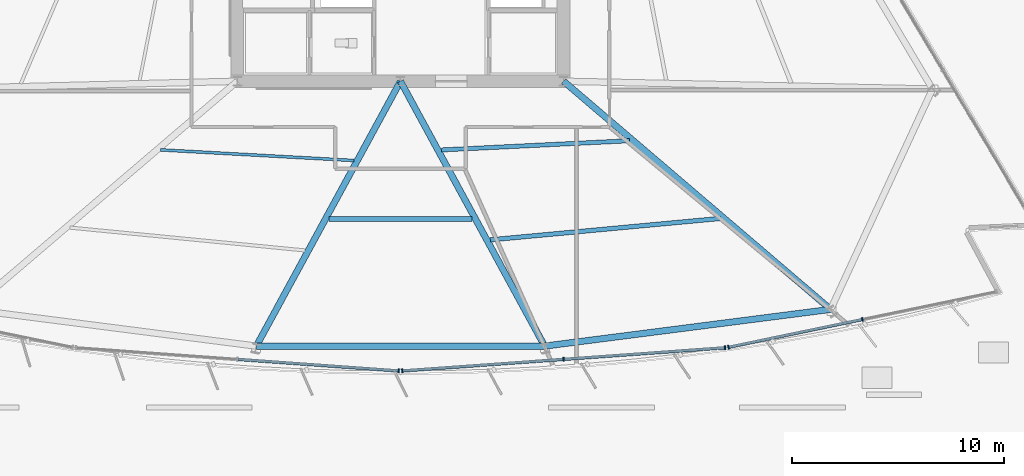
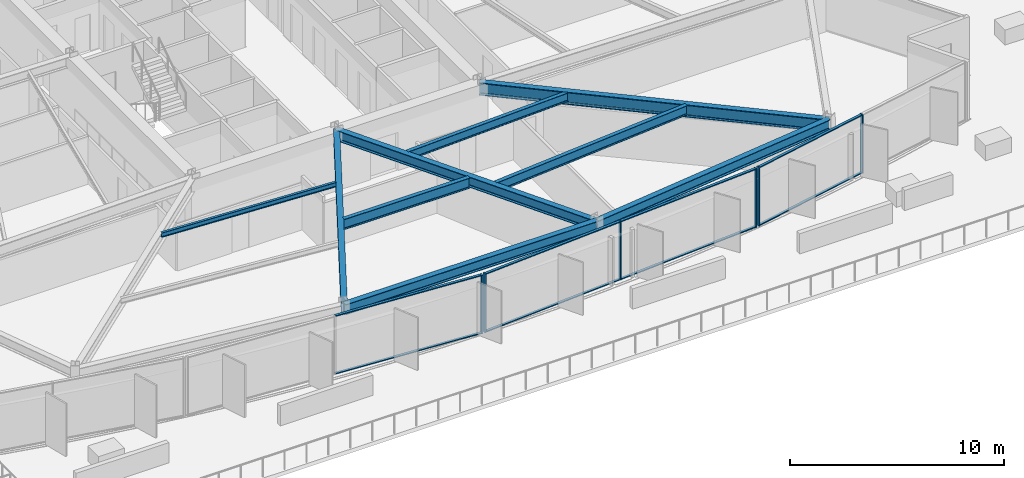
# One storey, part 3 of 19: 14 members, 9 beams, 3 elements without a shape of their own.
"""IFC4 building model written with IfcOpenShell, lengths in metres."""

from ifc_helpers import new_model, si_unit, direction, frame, origin, origin_2d, place, context, subcontext, project, spatial, rectangle, i_section, extrude, material, material_profile, profile_set, type_object, element, aggregate, save


model = new_model("IFC4")

# Units and contexts
model_context = context("Model", 3, precision=1e-05, world=origin(), true_north=direction((0.0, 1.0)))
body_context = subcontext(model_context, "Body", "Model", "MODEL_VIEW")
ifc_project = project(units=[si_unit("LENGTHUNIT", "METRE"), si_unit("AREAUNIT", "SQUARE_METRE"), si_unit("VOLUMEUNIT", "CUBIC_METRE"), si_unit("PLANEANGLEUNIT", "RADIAN"), si_unit("MASSUNIT", "GRAM", prefix="KILO")], contexts=[model_context])

# Site, building, storey
site_placement = place(None, origin())
site = spatial("IfcSite", under=ifc_project, at=site_placement, CompositionType="ELEMENT")
building_placement = place(site_placement, origin())
building = spatial("IfcBuilding", under=site, at=building_placement, Name="Savorim Split Tower", CompositionType="ELEMENT")
storey_placement = place(building_placement, frame((0.0, 0.0, 26.39990234375)))
storey = spatial("IfcBuildingStorey", under=building, at=storey_placement, Name="L06", CompositionType="ELEMENT", Elevation=26.39990234375)

# Beams
ifc_material_1 = material(Name="Steel S355", Category="steel")
ifc_material_profile_1 = material_profile(ifc_material_1, i_section(OverallWidth=0.135009765625, OverallDepth=0.27001953125, WebThickness=0.006591796875, FlangeThickness=0.01025390625, FilletRadius=0.014892578125, at=origin_2d()), Name="IPE 270")
ifc_profile_set_1 = profile_set([ifc_material_profile_1], Name="Steel S355")
beam_type_1 = type_object("IfcBeamType", Name="BM-JST-IPE270", PredefinedType="JOIST", material=ifc_profile_set_1)
beam_1_placement = place(storey_placement, frame((-11.3232421875, -12.640380859375, 3.215087890625), z_axis=(0.998486310463, -0.055000798344, 0.0), x_axis=(0.055000798344, 0.998486310463, 0.0)))
element("IfcBeam", 1, at=beam_1_placement, inside=storey, type_object=beam_type_1, Name="L06 Secondary Floor Joist JS-02", PredefinedType="JOIST", context=body_context, shape_type="SweptSolid", body=[
    extrude(i_section(OverallWidth=0.135009765625, OverallDepth=0.27001953125, WebThickness=0.006591796875, FlangeThickness=0.01025390625, FilletRadius=0.014892578125, at=origin_2d()), origin(), (0.0, 0.0, 1.0), 9.13525390625),
])
ifc_material_profile_2 = material_profile(ifc_material_1, i_section(OverallWidth=0.199951171875, OverallDepth=0.5, WebThickness=0.01025390625, FlangeThickness=0.01611328125, FilletRadius=0.02099609375, at=origin_2d()), Name="IPE 500")
ifc_profile_set_2 = profile_set([ifc_material_profile_2], Name="Steel S355")
beam_type_2 = type_object("IfcBeamType", Name="BM-JST-IPE500", PredefinedType="JOIST", material=ifc_profile_set_2)
beam_2_placement = place(storey_placement, frame((1.9296875, -12.6435546875, 3.10009765625), z_axis=(0.998804458443, 0.048884085277, 0.0), x_axis=(-0.048884085277, 0.998804458443, 0.0)))
element("IfcBeam", 2, at=beam_2_placement, inside=storey, type_object=beam_type_2, Name="L06 Secondary Floor Joist JS-05", PredefinedType="JOIST", context=body_context, shape_type="SweptSolid", body=[
    extrude(i_section(OverallWidth=0.199951171875, OverallDepth=0.5, WebThickness=0.01025390625, FlangeThickness=0.01611328125, FilletRadius=0.02099609375, at=origin_2d()), origin(), (0.0, 0.0, 1.0), 8.89990234375),
])
ifc_material_profile_3 = material_profile(ifc_material_1, i_section(OverallWidth=0.2099609375, OverallDepth=0.550048828125, WebThickness=0.010986328125, FlangeThickness=0.01708984375, FilletRadius=0.02392578125, at=origin_2d()), Name="IPE 550")
ifc_profile_set_3 = profile_set([ifc_material_profile_3], Name="Steel S355")
beam_type_3 = type_object("IfcBeamType", Name="BM-JST-IPE550", PredefinedType="JOIST", material=ifc_profile_set_3)
beam_3_placement = place(storey_placement, frame((4.243408203125, -16.88818359375, 3.0751953125), z_axis=(0.995701551945, 0.09261975736, 0.0), x_axis=(-0.09261975736, 0.995701551945, 0.0)))
element("IfcBeam", 3, at=beam_3_placement, inside=storey, type_object=beam_type_3, Name="L06 Secondary Floor Joist JS-04", PredefinedType="JOIST", context=body_context, shape_type="SweptSolid", body=[
    extrude(i_section(OverallWidth=0.2099609375, OverallDepth=0.550048828125, WebThickness=0.010986328125, FlangeThickness=0.01708984375, FilletRadius=0.02392578125, at=origin_2d()), origin(), (0.0, 0.0, 1.0), 10.91015625),
])
ifc_material_profile_4 = material_profile(ifc_material_1, i_section(OverallWidth=0.219970703125, OverallDepth=0.60009765625, WebThickness=0.011962890625, FlangeThickness=0.01904296875, FilletRadius=0.02392578125, at=origin_2d()), Name="IPE 600")
ifc_profile_set_4 = profile_set([ifc_material_profile_4], Name="Steel S355")
beam_type_4 = type_object("IfcBeamType", Name="BM-JST-IPE600", PredefinedType="JOIST", material=ifc_profile_set_4)
beam_4_placement = place(storey_placement, frame((-3.379638671875, -15.902587890625, 3.050048828125), z_axis=(1.0, 0.0, 0.0), x_axis=(0.0, 1.0, 0.0)))
element("IfcBeam", 4, at=beam_4_placement, inside=storey, type_object=beam_type_4, Name="L06 Secondary Floor Joist JS-03", PredefinedType="JOIST", context=body_context, shape_type="SweptSolid", body=[
    extrude(i_section(OverallWidth=0.219970703125, OverallDepth=0.60009765625, WebThickness=0.011962890625, FlangeThickness=0.01904296875, FilletRadius=0.02392578125, at=origin_2d()), origin(), (0.0, 0.0, 1.0), 6.75927734375),
])
ifc_material_profile_5 = material_profile(ifc_material_1, i_section(OverallWidth=0.300048828125, OverallDepth=0.60009765625, WebThickness=0.015380859375, FlangeThickness=0.030029296875, FilletRadius=0.027099609375, at=origin_2d()), Name="HEB 600")
ifc_profile_set_5 = profile_set([ifc_material_profile_5], Name="Steel S355")
beam_type_5 = type_object("IfcBeamType", Name="BM-PRI-HEB600", PredefinedType="BEAM", material=ifc_profile_set_5)
for number, where, z_axis, x_axis, name in (
    (5, (-6.806884765625, -21.9052734375, 3.050048828125), (0.478081850258, 0.878315287612, 0.0), (-0.878315287612, 0.478081850258, 0.0), "L06 Primary Floor Girder RG-02"),
    (6, (6.806884765625, -21.9052734375, 3.050048828125), (-0.478081850258, 0.878315287612, 0.0), (-0.878315287612, -0.478081850258, 0.0), "L06 Primary Floor Girder RG-03"),
):
    element("IfcBeam", number, at=place(storey_placement, frame(where, z_axis=z_axis, x_axis=x_axis)), inside=storey, type_object=beam_type_5, Name=name, PredefinedType="BEAM", context=body_context, shape_type="SweptSolid", body=[
        extrude(i_section(OverallWidth=0.300048828125, OverallDepth=0.60009765625, WebThickness=0.015380859375, FlangeThickness=0.030029296875, FilletRadius=0.027099609375, at=origin_2d()), origin(), (0.0, 0.0, 1.0), 14.23779296875),
    ])
ifc_material_2 = material(Name="Steel S460", Category="steel")
ifc_material_profile_6 = material_profile(ifc_material_2, i_section(OverallWidth=0.303955078125, OverallDepth=0.716064453125, WebThickness=0.02099609375, FlangeThickness=0.0400390625, FilletRadius=0.027099609375, at=origin_2d()), Name="HE 700 M")
ifc_profile_set_6 = profile_set([ifc_material_profile_6], Name="Steel S460")
beam_type_6 = type_object("IfcBeamType", Name="BM-PRI-HEM700", PredefinedType="BEAM", material=ifc_profile_set_6)
beam_5_placement = place(storey_placement, frame((20.31005859375, -20.17138671875, 2.9921875), z_axis=(-0.760363227356, 0.649498085051, 0.0), x_axis=(-0.649498085051, -0.760363227356, 0.0)))
element("IfcBeam", 7, at=beam_5_placement, inside=storey, type_object=beam_type_6, Name="L06 Primary Floor Girder RG-04", PredefinedType="BEAM", context=body_context, shape_type="SweptSolid", body=[
    extrude(i_section(OverallWidth=0.303955078125, OverallDepth=0.716064453125, WebThickness=0.02099609375, FlangeThickness=0.0400390625, FilletRadius=0.027099609375, at=origin_2d()), origin(), (0.0, 0.0, 1.0), 16.584228515625),
])
ifc_material_profile_7 = material_profile(ifc_material_1, i_section(OverallWidth=0.300048828125, OverallDepth=0.590087890625, WebThickness=0.012939453125, FlangeThickness=0.02490234375, FilletRadius=0.027099609375, at=origin_2d()), Name="HEA 600")
ifc_profile_set_7 = profile_set([ifc_material_profile_7], Name="Steel S355")
beam_type_7 = type_object("IfcBeamType", Name="BM-SPN-HEA600", PredefinedType="SPANDREL", material=ifc_profile_set_7)
beam_6_placement = place(storey_placement, frame((-6.806884765625, -21.9052734375, 3.05517578125), z_axis=(1.0, 0.0, 0.0), x_axis=(0.0, 1.0, 0.0)))
element("IfcBeam", 8, at=beam_6_placement, inside=storey, type_object=beam_type_7, Name="L06 Perimeter Spandrel Beam 2", PredefinedType="SPANDREL", context=body_context, shape_type="SweptSolid", body=[
    extrude(i_section(OverallWidth=0.300048828125, OverallDepth=0.590087890625, WebThickness=0.012939453125, FlangeThickness=0.02490234375, FilletRadius=0.027099609375, at=origin_2d()), origin(), (0.0, 0.0, 1.0), 13.61376953125),
])
beam_7_placement = place(storey_placement, frame((6.806884765625, -21.9052734375, 3.05517578125), z_axis=(0.991856532178, 0.127360196198, 0.0), x_axis=(-0.127360196198, 0.991856532178, 0.0)))
element("IfcBeam", 9, at=beam_7_placement, inside=storey, type_object=beam_type_7, Name="L06 Perimeter Spandrel Beam 3", PredefinedType="SPANDREL", context=body_context, shape_type="SweptSolid", body=[
    extrude(i_section(OverallWidth=0.300048828125, OverallDepth=0.590087890625, WebThickness=0.012939453125, FlangeThickness=0.02490234375, FilletRadius=0.027099609375, at=origin_2d()), origin(), (0.0, 0.0, 1.0), 13.614013671875),
])

# Curtain wall, member
ifc_material_3 = material(Name="Dark Ceramic-Fritted Insulated Glass", Category="glass")
curtain_wall_type = type_object("IfcCurtainWallType", Name="CW-TWR-FRIT-A", PredefinedType="NOTDEFINED", material=ifc_material_3)
curtain_wall_1_placement = place(storey_placement, origin())
curtain_wall_1 = element("IfcCurtainWall", 10, at=curtain_wall_1_placement, inside=storey, type_object=curtain_wall_type, Name="L06 Curtain Wall CW-L06-SF2", PredefinedType="NOTDEFINED")
ifc_material_4 = material(Name="Charcoal Anodised Aluminium", Category="aluminium")
ifc_material_profile_8 = material_profile(ifc_material_4, rectangle(XDim=0.179931640625, YDim=0.06494140625, at=origin_2d()), Name="ALU-M 180x65")
ifc_profile_set_8 = profile_set([ifc_material_profile_8], Name="Charcoal Anodised Aluminium")
member_type_1 = type_object("IfcMemberType", Name="CWM-180x65", PredefinedType="MULLION", material=ifc_profile_set_8)
member_1_placement = place(storey_placement, frame((-0.083740234375, -23.07373046875, 0.0), z_axis=(0.0, 0.0, 1.0), x_axis=(0.071560199658, 0.997436282589, 0.0)))
member_1 = element("IfcMember", 11, at=member_1_placement, type_object=member_type_1, Name="CW-02 mullion 3", PredefinedType="MULLION", context=body_context, shape_type="SweptSolid", body=[
    extrude(rectangle(XDim=0.179931640625, YDim=0.06494140625, at=origin_2d()), origin(), (0.0, 0.0, 1.0), 3.35009765625),
])

# Curtain wall, members
curtain_wall_2_placement = place(storey_placement, origin())
curtain_wall_2 = element("IfcCurtainWall", 12, at=curtain_wall_2_placement, inside=storey, type_object=curtain_wall_type, Name="L06 Curtain Wall CW-L06-SF3", PredefinedType="NOTDEFINED")
member_2_placement = place(storey_placement, frame((0.083740234375, -23.07373046875, 0.0), z_axis=(0.0, 0.0, 1.0), x_axis=(-0.071560199658, 0.997436282589, 0.0)))
member_2 = element("IfcMember", 13, at=member_2_placement, type_object=member_type_1, Name="CW-02 mullion 1", PredefinedType="MULLION", context=body_context, shape_type="SweptSolid", body=[
    extrude(rectangle(XDim=0.179931640625, YDim=0.06494140625, at=origin_2d()), origin(), (0.0, 0.0, 1.0), 3.35009765625),
])
member_3_placement = place(storey_placement, frame((7.7021484375, -22.527099609375, 0.0), z_axis=(0.0, 0.0, 1.0), x_axis=(-0.071560199658, 0.997436282589, 0.0)))
member_3 = element("IfcMember", 14, at=member_3_placement, type_object=member_type_1, Name="CW-02 mullion 2", PredefinedType="MULLION", context=body_context, shape_type="SweptSolid", body=[
    extrude(rectangle(XDim=0.179931640625, YDim=0.06494140625, at=origin_2d()), origin(), (0.0, 0.0, 1.0), 3.35009765625),
])
member_4_placement = place(storey_placement, frame((15.320556640625, -21.98046875, 0.0), z_axis=(0.0, 0.0, 1.0), x_axis=(-0.071560199658, 0.997436282589, 0.0)))
member_4 = element("IfcMember", 15, at=member_4_placement, type_object=member_type_1, Name="CW-02 mullion 3", PredefinedType="MULLION", context=body_context, shape_type="SweptSolid", body=[
    extrude(rectangle(XDim=0.179931640625, YDim=0.06494140625, at=origin_2d()), origin(), (0.0, 0.0, 1.0), 3.35009765625),
])

curtain_wall_3_placement = place(storey_placement, origin())
curtain_wall_3 = element("IfcCurtainWall", 16, at=curtain_wall_3_placement, inside=storey, type_object=curtain_wall_type, Name="L06 Curtain Wall CW-L06-SF4", PredefinedType="NOTDEFINED")
member_5_placement = place(storey_placement, frame((15.487548828125, -21.957275390625, 0.0), z_axis=(0.0, 0.0, 1.0), x_axis=(-0.203210322793, 0.979135110549, 0.0)))
member_5 = element("IfcMember", 17, at=member_5_placement, type_object=member_type_1, Name="CW-02 mullion 1", PredefinedType="MULLION", context=body_context, shape_type="SweptSolid", body=[
    extrude(rectangle(XDim=0.179931640625, YDim=0.06494140625, at=origin_2d()), origin(), (0.0, 0.0, 1.0), 3.35009765625),
])
member_6_placement = place(storey_placement, frame((21.807861328125, -20.6455078125, 0.0), z_axis=(0.0, 0.0, 1.0), x_axis=(-0.203210322793, 0.979135110549, 0.0)))
member_6 = element("IfcMember", 18, at=member_6_placement, type_object=member_type_1, Name="CW-02 mullion 2", PredefinedType="MULLION", context=body_context, shape_type="SweptSolid", body=[
    extrude(rectangle(XDim=0.179931640625, YDim=0.06494140625, at=origin_2d()), origin(), (0.0, 0.0, 1.0), 3.35009765625),
])

# Member
ifc_material_profile_9 = material_profile(ifc_material_4, rectangle(XDim=0.139892578125, YDim=0.054931640625, at=origin_2d()), Name="ALU-T 140x55")
ifc_profile_set_9 = profile_set([ifc_material_profile_9], Name="Charcoal Anodised Aluminium")
member_type_2 = type_object("IfcMemberType", Name="CWT-140x55", PredefinedType="USERDEFINED", material=ifc_profile_set_9)
member_7_placement = place(storey_placement, frame((-7.669677734375, -22.529541015625, 0.027587890625), z_axis=(0.997437873969, -0.071538014879, 0.0), x_axis=(0.071538014879, 0.997437873969, 0.0)))
member_7 = element("IfcMember", 19, at=member_7_placement, type_object=member_type_2, Name="CW-02 transom 2.1", ObjectType="TRANSOM", PredefinedType="USERDEFINED", context=body_context, shape_type="SweptSolid", body=[
    extrude(rectangle(XDim=0.139892578125, YDim=0.054931640625, at=origin_2d()), origin(), (0.0, 0.0, 1.0), 7.57275390625),
])

member_8_placement = place(storey_placement, frame((-7.669677734375, -22.529541015625, 3.322509765625), z_axis=(0.997437873969, -0.071538014879, 0.0), x_axis=(0.071538014879, 0.997437873969, 0.0)))
member_8 = element("IfcMember", 20, at=member_8_placement, type_object=member_type_2, Name="CW-02 transom 2.2", ObjectType="TRANSOM", PredefinedType="USERDEFINED", context=body_context, shape_type="SweptSolid", body=[
    extrude(rectangle(XDim=0.139892578125, YDim=0.054931640625, at=origin_2d()), origin(), (0.0, 0.0, 1.0), 7.57275390625),
])

aggregate(curtain_wall_1, [member_1, member_7, member_8])

member_9_placement = place(storey_placement, frame((0.1162109375, -23.0712890625, 0.027587890625), z_axis=(0.997437873969, 0.071538014879, 0.0), x_axis=(-0.071538014879, 0.997437873969, 0.0)))
member_9 = element("IfcMember", 21, at=member_9_placement, type_object=member_type_2, Name="CW-02 transom 1.1", ObjectType="TRANSOM", PredefinedType="USERDEFINED", context=body_context, shape_type="SweptSolid", body=[
    extrude(rectangle(XDim=0.139892578125, YDim=0.054931640625, at=origin_2d()), origin(), (0.0, 0.0, 1.0), 7.57275390625),
])

member_10_placement = place(storey_placement, frame((0.1162109375, -23.0712890625, 3.322509765625), z_axis=(0.997437873969, 0.071538014879, 0.0), x_axis=(-0.071538014879, 0.997437873969, 0.0)))
member_10 = element("IfcMember", 22, at=member_10_placement, type_object=member_type_2, Name="CW-02 transom 1.2", ObjectType="TRANSOM", PredefinedType="USERDEFINED", context=body_context, shape_type="SweptSolid", body=[
    extrude(rectangle(XDim=0.139892578125, YDim=0.054931640625, at=origin_2d()), origin(), (0.0, 0.0, 1.0), 7.57275390625),
])

member_11_placement = place(storey_placement, frame((7.734619140625, -22.524658203125, 0.027587890625), z_axis=(0.997437873969, 0.071538014879, 0.0), x_axis=(-0.071538014879, 0.997437873969, 0.0)))
member_11 = element("IfcMember", 23, at=member_11_placement, type_object=member_type_2, Name="CW-02 transom 2.1", ObjectType="TRANSOM", PredefinedType="USERDEFINED", context=body_context, shape_type="SweptSolid", body=[
    extrude(rectangle(XDim=0.139892578125, YDim=0.054931640625, at=origin_2d()), origin(), (0.0, 0.0, 1.0), 7.57275390625),
])

member_12_placement = place(storey_placement, frame((7.734619140625, -22.524658203125, 3.322509765625), z_axis=(0.997437873969, 0.071538014879, 0.0), x_axis=(-0.071538014879, 0.997437873969, 0.0)))
member_12 = element("IfcMember", 24, at=member_12_placement, type_object=member_type_2, Name="CW-02 transom 2.2", ObjectType="TRANSOM", PredefinedType="USERDEFINED", context=body_context, shape_type="SweptSolid", body=[
    extrude(rectangle(XDim=0.139892578125, YDim=0.054931640625, at=origin_2d()), origin(), (0.0, 0.0, 1.0), 7.57275390625),
])

aggregate(curtain_wall_2, [member_2, member_3, member_4, member_9, member_10, member_11, member_12])

member_13_placement = place(storey_placement, frame((15.519287109375, -21.95068359375, 0.027587890625), z_axis=(0.979133980901, 0.203215765741, 0.0), x_axis=(-0.203215765741, 0.979133980901, 0.0)))
member_13 = element("IfcMember", 25, at=member_13_placement, type_object=member_type_2, Name="CW-02 transom 1.1", ObjectType="TRANSOM", PredefinedType="USERDEFINED", context=body_context, shape_type="SweptSolid", body=[
    extrude(rectangle(XDim=0.139892578125, YDim=0.054931640625, at=origin_2d()), origin(), (0.0, 0.0, 1.0), 6.39013671875),
])

member_14_placement = place(storey_placement, frame((15.519287109375, -21.95068359375, 3.322509765625), z_axis=(0.979133980901, 0.203215765741, 0.0), x_axis=(-0.203215765741, 0.979133980901, 0.0)))
member_14 = element("IfcMember", 26, at=member_14_placement, type_object=member_type_2, Name="CW-02 transom 1.2", ObjectType="TRANSOM", PredefinedType="USERDEFINED", context=body_context, shape_type="SweptSolid", body=[
    extrude(rectangle(XDim=0.139892578125, YDim=0.054931640625, at=origin_2d()), origin(), (0.0, 0.0, 1.0), 6.39013671875),
])

aggregate(curtain_wall_3, [member_5, member_6, member_13, member_14])

save(model, "model.ifc")
